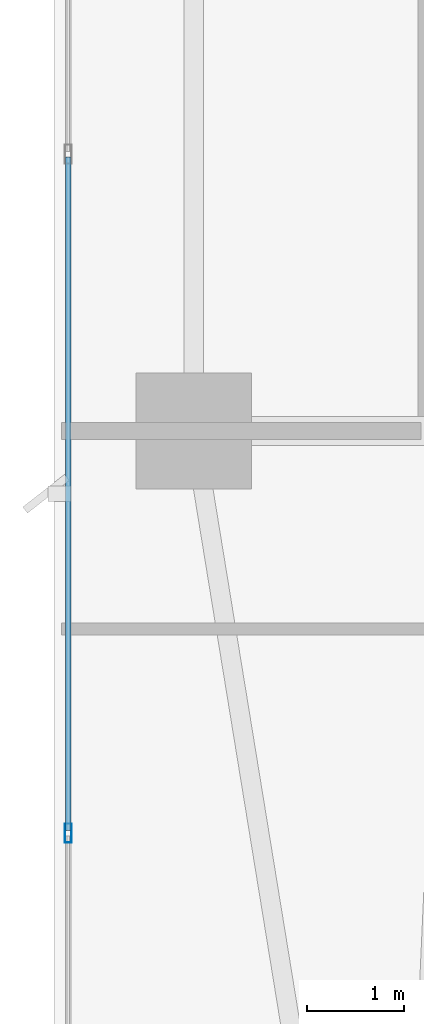
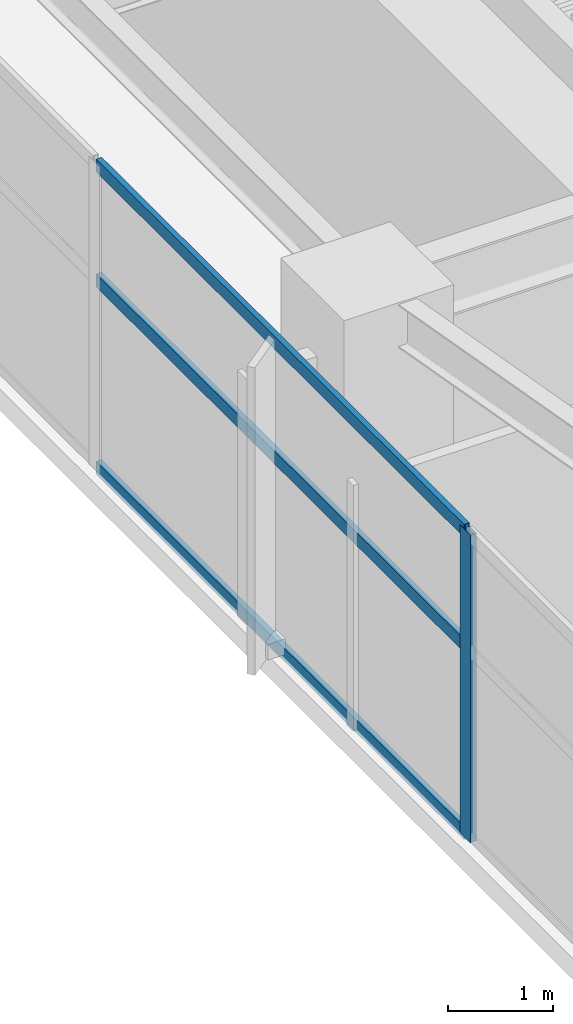
# One storey, part 4 of 28: 4 members, 1 element without a shape of its own.
"""IFC4 building model written with IfcOpenShell, lengths in metres."""

from ifc_helpers import new_model, si_unit, direction, frame, origin, origin_2d, place, context, subcontext, project, spatial, hollow_rectangle, extrude, material, layer, layer_set, material_profile, profile_set, type_object, element, aggregate, save


model = new_model("IFC4")

# Units and contexts
model_context = context("Model", 3, precision=1e-05, world=origin(), true_north=direction((0.0, 1.0)))
body_context = subcontext(model_context, "Body", "Model", "MODEL_VIEW")
ifc_project = project(units=[si_unit("LENGTHUNIT", "METRE"), si_unit("AREAUNIT", "SQUARE_METRE"), si_unit("VOLUMEUNIT", "CUBIC_METRE"), si_unit("PLANEANGLEUNIT", "RADIAN"), si_unit("MASSUNIT", "GRAM", prefix="KILO")], contexts=[model_context])

# Site, building, storey
site_placement = place(None, origin())
site = spatial("IfcSite", under=ifc_project, at=site_placement, CompositionType="ELEMENT")
building_placement = place(site_placement, origin())
building = spatial("IfcBuilding", under=site, at=building_placement, Name="Calvorn Quay Hotel", CompositionType="ELEMENT")
storey_placement = place(building_placement, frame((0.0, 0.0, 101.199951171875)))
storey = spatial("IfcBuildingStorey", under=building, at=storey_placement, Name="L24", CompositionType="ELEMENT", Elevation=101.199951171875)

# Curtain wall, members
ifc_material_1 = material(Name="Pale Anodised Aluminium and Low-E Glass", Category="aluminium")
ifc_layer = layer(ifc_material_1, 0.219970703125)
ifc_layer_set = layer_set([ifc_layer], Name="CW-SYS-Z2")
curtain_wall_type = type_object("IfcCurtainWallType", Name="CW-SYS-Z2", PredefinedType="NOTDEFINED", material=ifc_layer_set)
curtain_wall_placement = place(storey_placement, origin())
curtain_wall = element("IfcCurtainWall", 1, at=curtain_wall_placement, inside=storey, type_object=curtain_wall_type, Name="Tower West Curtain Wall (L24)", PredefinedType="NOTDEFINED")
ifc_material_2 = material(Name="Pale Anodised Aluminium 6063-T6", Category="aluminium")
ifc_material_profile_1 = material_profile(ifc_material_2, hollow_rectangle(XDim=0.070068359375, YDim=0.199951171875, WallThickness=0.00390625, at=origin_2d()), Name="ALU-M200x70x4")
ifc_profile_set_1 = profile_set([ifc_material_profile_1], Name="Pale Anodised Aluminium 6063-T6")
member_type_1 = type_object("IfcMemberType", Name="CW-SYS-Z2-MUL", PredefinedType="MULLION", material=ifc_profile_set_1)
member_1_placement = place(storey_placement, frame((0.14990234375, 12.63330078125, 0.0), z_axis=(0.0, 0.0, 1.0), x_axis=(-1.0, 0.0, 0.0)))
member_1 = element("IfcMember", 2, at=member_1_placement, type_object=member_type_1, Name="CW-L24-W mullion 2", PredefinedType="MULLION", context=body_context, shape_type="SweptSolid", body=[
    extrude(hollow_rectangle(XDim=0.070068359375, YDim=0.199951171875, WallThickness=0.00390625, at=origin_2d()), origin(), (0.0, 0.0, 1.0), 3.56005859375),
])
ifc_material_3 = material(Name="Pale Anodised Aluminium 6063-T6", Category="aluminium")
ifc_material_profile_2 = material_profile(ifc_material_3, hollow_rectangle(XDim=0.06005859375, YDim=0.14990234375, WallThickness=0.00341796875, at=origin_2d()), Name="ALU-T150x60x3.5")
ifc_profile_set_2 = profile_set([ifc_material_profile_2], Name="Pale Anodised Aluminium 6063-T6")
member_type_2 = type_object("IfcMemberType", Name="CW-SYS-Z2-TRN", PredefinedType="USERDEFINED", material=ifc_profile_set_2)
member_2_placement = place(storey_placement, frame((0.14990234375, 12.663330078125, 0.030029296875), z_axis=(0.0, 1.0, 0.0), x_axis=(-1.0, 0.0, 0.0)))
member_2 = element("IfcMember", 3, at=member_2_placement, type_object=member_type_2, Name="CW-L24-W transom 2.1", ObjectType="TRANSOM", PredefinedType="USERDEFINED", context=body_context, shape_type="SweptSolid", body=[
    extrude(hollow_rectangle(XDim=0.06005859375, YDim=0.14990234375, WallThickness=0.00341796875, at=origin_2d()), origin(), (0.0, 0.0, 1.0), 6.973388671875),
])
member_3_placement = place(storey_placement, frame((0.14990234375, 12.663330078125, 2.199951171875), z_axis=(0.0, 1.0, 0.0), x_axis=(-1.0, 0.0, 0.0)))
member_3 = element("IfcMember", 4, at=member_3_placement, type_object=member_type_2, Name="CW-L24-W transom 2.2", ObjectType="TRANSOM", PredefinedType="USERDEFINED", context=body_context, shape_type="SweptSolid", body=[
    extrude(hollow_rectangle(XDim=0.06005859375, YDim=0.14990234375, WallThickness=0.00341796875, at=origin_2d()), origin(), (0.0, 0.0, 1.0), 6.973388671875),
])
member_4_placement = place(storey_placement, frame((0.14990234375, 12.663330078125, 3.530029296875), z_axis=(0.0, 1.0, 0.0), x_axis=(-1.0, 0.0, 0.0)))
member_4 = element("IfcMember", 5, at=member_4_placement, type_object=member_type_2, Name="CW-L24-W transom 2.3", ObjectType="TRANSOM", PredefinedType="USERDEFINED", context=body_context, shape_type="SweptSolid", body=[
    extrude(hollow_rectangle(XDim=0.06005859375, YDim=0.14990234375, WallThickness=0.00341796875, at=origin_2d()), origin(), (0.0, 0.0, 1.0), 6.973388671875),
])
aggregate(curtain_wall, [member_1, member_2, member_3, member_4])

save(model, "model.ifc")
